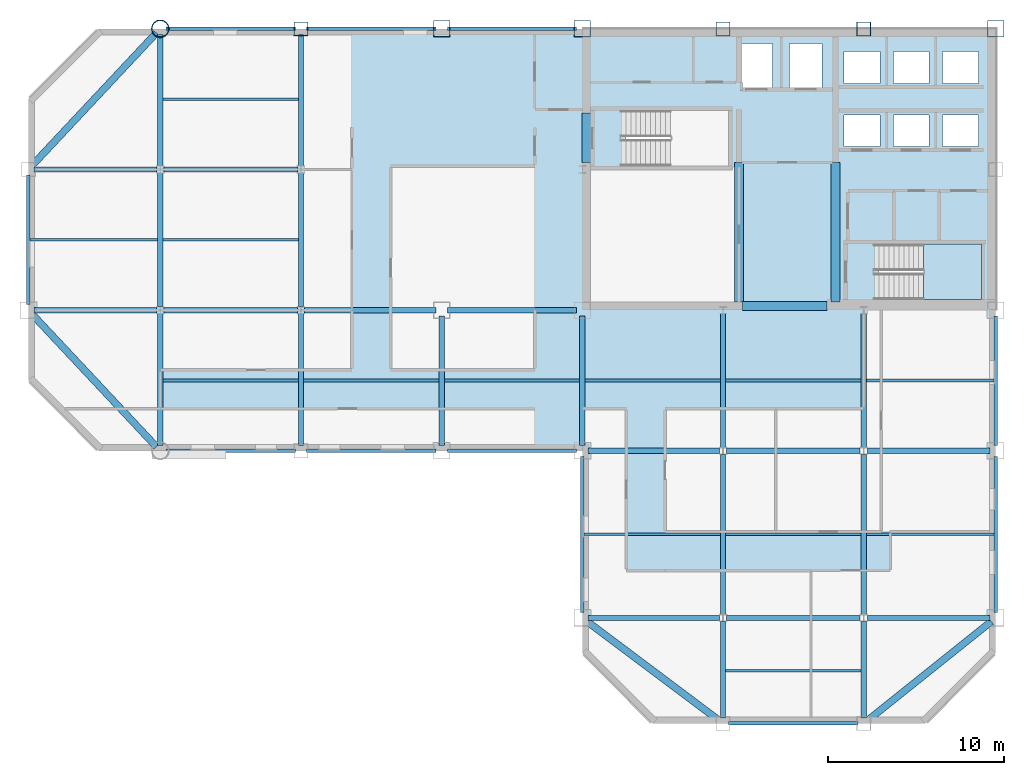
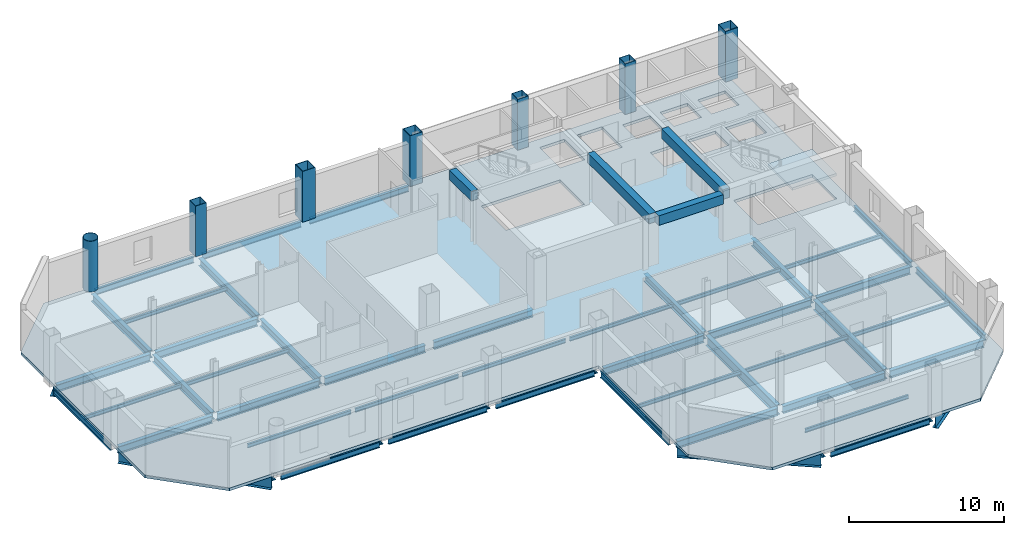
# One storey, part 3 of 10: 58 beams, 7 columns, 2 slabs, 1 element without a shape of its own.
"""IFC4 building model written with IfcOpenShell, lengths in metres."""

from ifc_helpers import new_model, si_unit, direction, frame, origin, origin_2d, place, context, subcontext, project, spatial, polyline, rectangle, hollow_rectangle, hollow_circle, i_section, outline, extrude, material, layer, layer_set, material_profile, profile_set, type_object, element, aggregate, save


model = new_model("IFC4")

# Units and contexts
model_context = context("Model", 3, precision=1e-05, world=origin(), true_north=direction((0.0, 1.0)))
body_context = subcontext(model_context, "Body", "Model", "MODEL_VIEW")
ifc_project = project(units=[si_unit("LENGTHUNIT", "METRE"), si_unit("AREAUNIT", "SQUARE_METRE"), si_unit("VOLUMEUNIT", "CUBIC_METRE"), si_unit("PLANEANGLEUNIT", "RADIAN"), si_unit("MASSUNIT", "GRAM", prefix="KILO")], contexts=[model_context])

# Site, building, storey
site_placement = place(None, origin())
site = spatial("IfcSite", under=ifc_project, at=site_placement, CompositionType="ELEMENT")
building_placement = place(site_placement, origin())
building = spatial("IfcBuilding", under=site, at=building_placement, Name="Qianrong Seaharbour Tower", CompositionType="ELEMENT")
storey_placement = place(building_placement, frame((0.0, 0.0, 241.800048828125)))
storey = spatial("IfcBuildingStorey", under=building, at=storey_placement, Name="L58", CompositionType="ELEMENT", Elevation=241.800048828125)

# Columns
ifc_material_1 = material(Name="Structural steel SN490B", Category="steel")
ifc_material_profile_1 = material_profile(ifc_material_1, hollow_rectangle(XDim=0.949951171875, YDim=0.949951171875, WallThickness=0.035888671875, at=origin_2d()), Name="BOX950x950x36")
ifc_profile_set_1 = profile_set([ifc_material_profile_1], Name="Structural steel SN490B")
column_type_1 = type_object("IfcColumnType", Name="COL-CFT-950", PredefinedType="COLUMN", material=ifc_profile_set_1)
for number, where, z_axis, x_axis, name in (
    (1, (32.5, 52.0, 0.0), (0.0, 0.0, 1.0), (1.0, 0.0, 0.0), "L58 Column MC-4 at G5/GH"),
    (2, (40.5, 52.0, 0.0), (0.0, 0.0, 1.0), (1.0, 0.0, 0.0), "L58 Column MC-4 at G6/GH"),
    (3, (64.0, 52.0, 0.0), (0.0, 0.0, 1.0), (1.0, 0.0, 0.0), "L58 Column MC-4 at G9/GH"),
):
    element("IfcColumn", number, at=place(storey_placement, frame(where, z_axis=z_axis, x_axis=x_axis)), inside=storey, type_object=column_type_1, Name=name, PredefinedType="COLUMN", context=body_context, shape_type="SweptSolid", body=[
        extrude(hollow_rectangle(XDim=0.949951171875, YDim=0.949951171875, WallThickness=0.035888671875, at=origin_2d()), origin(), (0.0, 0.0, 1.0), 4.0),
    ])
ifc_material_profile_2 = material_profile(ifc_material_1, hollow_circle(Radius=0.5, WallThickness=0.035888671875, at=origin_2d()), Name="CHS1000x36")
ifc_profile_set_2 = profile_set([ifc_material_profile_2], Name="Structural steel SN490B")
column_type_2 = type_object("IfcColumnType", Name="COL-CHS-1000", PredefinedType="COLUMN", material=ifc_profile_set_2)
column_placement = place(storey_placement, frame((16.5, 52.0, 0.0), z_axis=(0.0, 0.0, 1.0), x_axis=(1.0, 0.0, 0.0)))
element("IfcColumn", 4, at=column_placement, inside=storey, type_object=column_type_2, Name="L58 Column CC-2 at G3/GH", PredefinedType="COLUMN", context=body_context, shape_type="SweptSolid", body=[
    extrude(hollow_circle(Radius=0.5, WallThickness=0.035888671875, at=origin_2d()), origin(), (0.0, 0.0, 1.0), 4.0),
])
ifc_material_profile_3 = material_profile(ifc_material_1, hollow_rectangle(XDim=0.800048828125, YDim=0.800048828125, WallThickness=0.031982421875, at=origin_2d()), Name="BOX800x800x32")
ifc_profile_set_3 = profile_set([ifc_material_profile_3], Name="Structural steel SN490B")
column_type_3 = type_object("IfcColumnType", Name="COL-PER-800", PredefinedType="COLUMN", material=ifc_profile_set_3)
for number, where, z_axis, x_axis, name in (
    (5, (24.5, 52.0, 0.0), (0.0, 0.0, 1.0), (1.0, 0.0, 0.0), "L58 Column PC-3 at G4/GH"),
    (6, (48.5, 52.0, 0.0), (0.0, 0.0, 1.0), (1.0, 0.0, 0.0), "L58 Column PC-3 at G7/GH"),
    (7, (56.5, 52.0, 0.0), (0.0, 0.0, 1.0), (1.0, 0.0, 0.0), "L58 Column PC-3 at G8/GH"),
):
    element("IfcColumn", number, at=place(storey_placement, frame(where, z_axis=z_axis, x_axis=x_axis)), inside=storey, type_object=column_type_3, Name=name, PredefinedType="COLUMN", context=body_context, shape_type="SweptSolid", body=[
        extrude(hollow_rectangle(XDim=0.800048828125, YDim=0.800048828125, WallThickness=0.031982421875, at=origin_2d()), origin(), (0.0, 0.0, 1.0), 4.0),
    ])

# Beams
ifc_material_profile_4 = material_profile(ifc_material_1, i_section(OverallWidth=0.300048828125, OverallDepth=0.587890625, WebThickness=0.011962890625, FlangeThickness=0.02001953125, FilletRadius=0.02392578125, at=origin_2d()), Name="H588x300x12x20")
ifc_profile_set_4 = profile_set([ifc_material_profile_4], Name="Structural steel SN490B")
beam_type_1 = type_object("IfcBeamType", Name="BM-G-588", PredefinedType="BEAM", material=ifc_profile_set_4)
beam_1_placement = place(storey_placement, frame((40.820068359375, 18.5, -0.51904296875), z_axis=(1.0, 0.0, 0.0), x_axis=(0.0, 1.0, 0.0)))
element("IfcBeam", 8, at=beam_1_placement, inside=storey, type_object=beam_type_1, Name="L58 Primary Girder GD G6-G7", PredefinedType="BEAM", context=body_context, shape_type="SweptSolid", body=[
    extrude(i_section(OverallWidth=0.300048828125, OverallDepth=0.587890625, WebThickness=0.011962890625, FlangeThickness=0.02001953125, FilletRadius=0.02392578125, at=origin_2d()), origin(), (0.0, 0.0, 1.0), 7.47998046875),
])
beam_2_placement = place(storey_placement, frame((48.699951171875, 18.5, -0.51904296875), z_axis=(1.0, 0.0, 0.0), x_axis=(0.0, 1.0, 0.0)))
element("IfcBeam", 9, at=beam_2_placement, inside=storey, type_object=beam_type_1, Name="L58 Primary Girder GD G7-G8", PredefinedType="BEAM", context=body_context, shape_type="SweptSolid", body=[
    extrude(i_section(OverallWidth=0.300048828125, OverallDepth=0.587890625, WebThickness=0.011962890625, FlangeThickness=0.02001953125, FilletRadius=0.02392578125, at=origin_2d()), origin(), (0.0, 0.0, 1.0), 7.60009765625),
])
beam_3_placement = place(storey_placement, frame((56.699951171875, 18.5, -0.51904296875), z_axis=(1.0, 0.0, 0.0), x_axis=(0.0, 1.0, 0.0)))
element("IfcBeam", 10, at=beam_3_placement, inside=storey, type_object=beam_type_1, Name="L58 Primary Girder GD G8-G9", PredefinedType="BEAM", context=body_context, shape_type="SweptSolid", body=[
    extrude(i_section(OverallWidth=0.300048828125, OverallDepth=0.587890625, WebThickness=0.011962890625, FlangeThickness=0.02001953125, FilletRadius=0.02392578125, at=origin_2d()), origin(), (0.0, 0.0, 1.0), 6.97998046875),
])
beam_4_placement = place(storey_placement, frame((40.820068359375, 28.0, -0.51904296875), z_axis=(1.0, 0.0, 0.0), x_axis=(0.0, 1.0, 0.0)))
element("IfcBeam", 11, at=beam_4_placement, inside=storey, type_object=beam_type_1, Name="L58 Primary Girder GE G6-G7", PredefinedType="BEAM", context=body_context, shape_type="SweptSolid", body=[
    extrude(i_section(OverallWidth=0.300048828125, OverallDepth=0.587890625, WebThickness=0.011962890625, FlangeThickness=0.02001953125, FilletRadius=0.02392578125, at=origin_2d()), origin(), (0.0, 0.0, 1.0), 7.47998046875),
])
beam_5_placement = place(storey_placement, frame((48.699951171875, 28.0, -0.51904296875), z_axis=(1.0, 0.0, 0.0), x_axis=(0.0, 1.0, 0.0)))
element("IfcBeam", 12, at=beam_5_placement, inside=storey, type_object=beam_type_1, Name="L58 Primary Girder GE G7-G8", PredefinedType="BEAM", context=body_context, shape_type="SweptSolid", body=[
    extrude(i_section(OverallWidth=0.300048828125, OverallDepth=0.587890625, WebThickness=0.011962890625, FlangeThickness=0.02001953125, FilletRadius=0.02392578125, at=origin_2d()), origin(), (0.0, 0.0, 1.0), 7.60009765625),
])
for number, where, z_axis, x_axis, name in (
    (13, (56.699951171875, 28.0, -0.51904296875), (1.0, 0.0, 0.0), (0.0, 1.0, 0.0), "L58 Primary Girder GE G8-G9"),
    (14, (9.320068359375, 36.0, -0.51904296875), (1.0, 0.0, 0.0), (0.0, 1.0, 0.0), "L58 Primary Girder GF G2-G3"),
):
    element("IfcBeam", number, at=place(storey_placement, frame(where, z_axis=z_axis, x_axis=x_axis)), inside=storey, type_object=beam_type_1, Name=name, PredefinedType="BEAM", context=body_context, shape_type="SweptSolid", body=[
        extrude(i_section(OverallWidth=0.300048828125, OverallDepth=0.587890625, WebThickness=0.011962890625, FlangeThickness=0.02001953125, FilletRadius=0.02392578125, at=origin_2d()), origin(), (0.0, 0.0, 1.0), 6.97998046875),
    ])
beam_6_placement = place(storey_placement, frame((16.699951171875, 36.0, -0.51904296875), z_axis=(1.0, 0.0, 0.0), x_axis=(0.0, 1.0, 0.0)))
element("IfcBeam", 15, at=beam_6_placement, inside=storey, type_object=beam_type_1, Name="L58 Primary Girder GF G3-G4", PredefinedType="BEAM", context=body_context, shape_type="SweptSolid", body=[
    extrude(i_section(OverallWidth=0.300048828125, OverallDepth=0.587890625, WebThickness=0.011962890625, FlangeThickness=0.02001953125, FilletRadius=0.02392578125, at=origin_2d()), origin(), (0.0, 0.0, 1.0), 7.60009765625),
])
beam_7_placement = place(storey_placement, frame((24.699951171875, 36.0, -0.51904296875), z_axis=(1.0, 0.0, 0.0), x_axis=(0.0, 1.0, 0.0)))
element("IfcBeam", 16, at=beam_7_placement, inside=storey, type_object=beam_type_1, Name="L58 Primary Girder GF G4-G5", PredefinedType="BEAM", context=body_context, shape_type="SweptSolid", body=[
    extrude(i_section(OverallWidth=0.300048828125, OverallDepth=0.587890625, WebThickness=0.011962890625, FlangeThickness=0.02001953125, FilletRadius=0.02392578125, at=origin_2d()), origin(), (0.0, 0.0, 1.0), 7.47998046875),
])
beam_8_placement = place(storey_placement, frame((32.820068359375, 36.0, -0.51904296875), z_axis=(1.0, 0.0, 0.0), x_axis=(0.0, 1.0, 0.0)))
element("IfcBeam", 17, at=beam_8_placement, inside=storey, type_object=beam_type_1, Name="L58 Primary Girder GF G5-G6", PredefinedType="BEAM", context=body_context, shape_type="SweptSolid", body=[
    extrude(i_section(OverallWidth=0.300048828125, OverallDepth=0.587890625, WebThickness=0.011962890625, FlangeThickness=0.02001953125, FilletRadius=0.02392578125, at=origin_2d()), origin(), (0.0, 0.0, 1.0), 7.35986328125),
])
beam_9_placement = place(storey_placement, frame((9.320068359375, 44.0, -0.51904296875), z_axis=(1.0, 0.0, 0.0), x_axis=(0.0, 1.0, 0.0)))
element("IfcBeam", 18, at=beam_9_placement, inside=storey, type_object=beam_type_1, Name="L58 Primary Girder GG G2-G3", PredefinedType="BEAM", context=body_context, shape_type="SweptSolid", body=[
    extrude(i_section(OverallWidth=0.300048828125, OverallDepth=0.587890625, WebThickness=0.011962890625, FlangeThickness=0.02001953125, FilletRadius=0.02392578125, at=origin_2d()), origin(), (0.0, 0.0, 1.0), 6.97998046875),
])
beam_10_placement = place(storey_placement, frame((16.699951171875, 44.0, -0.51904296875), z_axis=(1.0, 0.0, 0.0), x_axis=(0.0, 1.0, 0.0)))
element("IfcBeam", 19, at=beam_10_placement, inside=storey, type_object=beam_type_1, Name="L58 Primary Girder GG G3-G4", PredefinedType="BEAM", context=body_context, shape_type="SweptSolid", body=[
    extrude(i_section(OverallWidth=0.300048828125, OverallDepth=0.587890625, WebThickness=0.011962890625, FlangeThickness=0.02001953125, FilletRadius=0.02392578125, at=origin_2d()), origin(), (0.0, 0.0, 1.0), 7.60009765625),
])
beam_11_placement = place(storey_placement, frame((16.5, 28.320068359375, -0.51904296875), z_axis=(0.0, 1.0, 0.0), x_axis=(-1.0, 0.0, 0.0)))
element("IfcBeam", 20, at=beam_11_placement, inside=storey, type_object=beam_type_1, Name="L58 Primary Girder G3 GE-GF", PredefinedType="BEAM", context=body_context, shape_type="SweptSolid", body=[
    extrude(i_section(OverallWidth=0.300048828125, OverallDepth=0.587890625, WebThickness=0.011962890625, FlangeThickness=0.02001953125, FilletRadius=0.02392578125, at=origin_2d()), origin(), (0.0, 0.0, 1.0), 7.47998046875),
])
beam_12_placement = place(storey_placement, frame((16.5, 36.199951171875, -0.51904296875), z_axis=(0.0, 1.0, 0.0), x_axis=(-1.0, 0.0, 0.0)))
element("IfcBeam", 21, at=beam_12_placement, inside=storey, type_object=beam_type_1, Name="L58 Primary Girder G3 GF-GG", PredefinedType="BEAM", context=body_context, shape_type="SweptSolid", body=[
    extrude(i_section(OverallWidth=0.300048828125, OverallDepth=0.587890625, WebThickness=0.011962890625, FlangeThickness=0.02001953125, FilletRadius=0.02392578125, at=origin_2d()), origin(), (0.0, 0.0, 1.0), 7.60009765625),
])
for number, where, z_axis, x_axis, name in (
    (22, (16.5, 44.199951171875, -0.51904296875), (0.0, 1.0, 0.0), (-1.0, 0.0, 0.0), "L58 Primary Girder G3 GG-GH"),
    (23, (24.5, 28.320068359375, -0.51904296875), (0.0, 1.0, 0.0), (-1.0, 0.0, 0.0), "L58 Primary Girder G4 GE-GF"),
):
    element("IfcBeam", number, at=place(storey_placement, frame(where, z_axis=z_axis, x_axis=x_axis)), inside=storey, type_object=beam_type_1, Name=name, PredefinedType="BEAM", context=body_context, shape_type="SweptSolid", body=[
        extrude(i_section(OverallWidth=0.300048828125, OverallDepth=0.587890625, WebThickness=0.011962890625, FlangeThickness=0.02001953125, FilletRadius=0.02392578125, at=origin_2d()), origin(), (0.0, 0.0, 1.0), 7.47998046875),
    ])
beam_13_placement = place(storey_placement, frame((24.5, 36.199951171875, -0.51904296875), z_axis=(0.0, 1.0, 0.0), x_axis=(-1.0, 0.0, 0.0)))
element("IfcBeam", 24, at=beam_13_placement, inside=storey, type_object=beam_type_1, Name="L58 Primary Girder G4 GF-GG", PredefinedType="BEAM", context=body_context, shape_type="SweptSolid", body=[
    extrude(i_section(OverallWidth=0.300048828125, OverallDepth=0.587890625, WebThickness=0.011962890625, FlangeThickness=0.02001953125, FilletRadius=0.02392578125, at=origin_2d()), origin(), (0.0, 0.0, 1.0), 7.60009765625),
])
beam_14_placement = place(storey_placement, frame((24.5, 44.199951171875, -0.51904296875), z_axis=(0.0, 1.0, 0.0), x_axis=(-1.0, 0.0, 0.0)))
element("IfcBeam", 25, at=beam_14_placement, inside=storey, type_object=beam_type_1, Name="L58 Primary Girder G4 GG-GH", PredefinedType="BEAM", context=body_context, shape_type="SweptSolid", body=[
    extrude(i_section(OverallWidth=0.300048828125, OverallDepth=0.587890625, WebThickness=0.011962890625, FlangeThickness=0.02001953125, FilletRadius=0.02392578125, at=origin_2d()), origin(), (0.0, 0.0, 1.0), 7.47998046875),
])
for number, where, z_axis, x_axis, name in (
    (26, (32.5, 28.320068359375, -0.51904296875), (0.0, 1.0, 0.0), (-1.0, 0.0, 0.0), "L58 Primary Girder G5 GE-GF"),
    (27, (40.5, 28.320068359375, -0.51904296875), (0.0, 1.0, 0.0), (-1.0, 0.0, 0.0), "L58 Primary Girder G6 GE-GF"),
):
    element("IfcBeam", number, at=place(storey_placement, frame(where, z_axis=z_axis, x_axis=x_axis)), inside=storey, type_object=beam_type_1, Name=name, PredefinedType="BEAM", context=body_context, shape_type="SweptSolid", body=[
        extrude(i_section(OverallWidth=0.300048828125, OverallDepth=0.587890625, WebThickness=0.011962890625, FlangeThickness=0.02001953125, FilletRadius=0.02392578125, at=origin_2d()), origin(), (0.0, 0.0, 1.0), 7.35986328125),
    ])
beam_15_placement = place(storey_placement, frame((48.5, 12.820068359375, -0.51904296875), z_axis=(0.0, 1.0, 0.0), x_axis=(-1.0, 0.0, 0.0)))
element("IfcBeam", 28, at=beam_15_placement, inside=storey, type_object=beam_type_1, Name="L58 Primary Girder G7 GC-GD", PredefinedType="BEAM", context=body_context, shape_type="SweptSolid", body=[
    extrude(i_section(OverallWidth=0.300048828125, OverallDepth=0.587890625, WebThickness=0.011962890625, FlangeThickness=0.02001953125, FilletRadius=0.02392578125, at=origin_2d()), origin(), (0.0, 0.0, 1.0), 5.47998046875),
])
beam_16_placement = place(storey_placement, frame((48.5, 28.199951171875, -0.51904296875), z_axis=(0.0, 1.0, 0.0), x_axis=(-1.0, 0.0, 0.0)))
element("IfcBeam", 29, at=beam_16_placement, inside=storey, type_object=beam_type_1, Name="L58 Primary Girder G7 GE-GF", PredefinedType="BEAM", context=body_context, shape_type="SweptSolid", body=[
    extrude(i_section(OverallWidth=0.300048828125, OverallDepth=0.587890625, WebThickness=0.011962890625, FlangeThickness=0.02001953125, FilletRadius=0.02392578125, at=origin_2d()), origin(), (0.0, 0.0, 1.0), 7.60009765625),
])
beam_17_placement = place(storey_placement, frame((56.5, 12.820068359375, -0.51904296875), z_axis=(0.0, 1.0, 0.0), x_axis=(-1.0, 0.0, 0.0)))
element("IfcBeam", 30, at=beam_17_placement, inside=storey, type_object=beam_type_1, Name="L58 Primary Girder G8 GC-GD", PredefinedType="BEAM", context=body_context, shape_type="SweptSolid", body=[
    extrude(i_section(OverallWidth=0.300048828125, OverallDepth=0.587890625, WebThickness=0.011962890625, FlangeThickness=0.02001953125, FilletRadius=0.02392578125, at=origin_2d()), origin(), (0.0, 0.0, 1.0), 5.47998046875),
])
beam_18_placement = place(storey_placement, frame((56.5, 28.199951171875, -0.51904296875), z_axis=(0.0, 1.0, 0.0), x_axis=(-1.0, 0.0, 0.0)))
element("IfcBeam", 31, at=beam_18_placement, inside=storey, type_object=beam_type_1, Name="L58 Primary Girder G8 GE-GF", PredefinedType="BEAM", context=body_context, shape_type="SweptSolid", body=[
    extrude(i_section(OverallWidth=0.300048828125, OverallDepth=0.587890625, WebThickness=0.011962890625, FlangeThickness=0.02001953125, FilletRadius=0.02392578125, at=origin_2d()), origin(), (0.0, 0.0, 1.0), 7.60009765625),
])
ifc_material_profile_5 = material_profile(ifc_material_1, i_section(OverallWidth=0.300048828125, OverallDepth=0.800048828125, WebThickness=0.013916015625, FlangeThickness=0.02587890625, FilletRadius=0.028076171875, at=origin_2d()), Name="H800x300x14x26")
ifc_profile_set_5 = profile_set([ifc_material_profile_5], Name="Structural steel SN490B")
beam_type_2 = type_object("IfcBeamType", Name="BM-G-800", PredefinedType="BEAM", material=ifc_profile_set_5)
for number, where, z_axis, x_axis, name in (
    (32, (48.5, 18.699951171875, -0.625), (0.0, 1.0, 0.0), (-1.0, 0.0, 0.0), "L58 Primary Girder G7 GD-GE"),
    (33, (56.5, 18.699951171875, -0.625), (0.0, 1.0, 0.0), (-1.0, 0.0, 0.0), "L58 Primary Girder G8 GD-GE"),
):
    element("IfcBeam", number, at=place(storey_placement, frame(where, z_axis=z_axis, x_axis=x_axis)), inside=storey, type_object=beam_type_2, Name=name, PredefinedType="BEAM", context=body_context, shape_type="SweptSolid", body=[
        extrude(i_section(OverallWidth=0.300048828125, OverallDepth=0.800048828125, WebThickness=0.013916015625, FlangeThickness=0.02587890625, FilletRadius=0.028076171875, at=origin_2d()), origin(), (0.0, 0.0, 1.0), 9.10009765625),
    ])
ifc_material_2 = material(Name="Structural steel SN400B", Category="steel")
ifc_material_profile_6 = material_profile(ifc_material_2, i_section(OverallWidth=0.14990234375, OverallDepth=0.300048828125, WebThickness=0.006591796875, FlangeThickness=0.009033203125, FilletRadius=0.012939453125, at=origin_2d()), Name="H300x150x6.5x9")
ifc_profile_set_6 = profile_set([ifc_material_profile_6], Name="Structural steel SN400B")
beam_type_3 = type_object("IfcBeamType", Name="BM-J-300", PredefinedType="JOIST", material=ifc_profile_set_6)
beam_19_placement = place(storey_placement, frame((9.10009765625, 40.0, -0.375), z_axis=(1.0, 0.0, 0.0), x_axis=(0.0, 1.0, 0.0)))
element("IfcBeam", 34, at=beam_19_placement, inside=storey, type_object=beam_type_3, Name="L58 Composite Floor Joist G2-G3/GF-GG", PredefinedType="JOIST", context=body_context, shape_type="SweptSolid", body=[
    extrude(i_section(OverallWidth=0.14990234375, OverallDepth=0.300048828125, WebThickness=0.006591796875, FlangeThickness=0.009033203125, FilletRadius=0.012939453125, at=origin_2d()), origin(), (0.0, 0.0, 1.0), 7.25),
])
for number, where, z_axis, x_axis, name in (
    (35, (16.64990234375, 32.0, -0.375), (1.0, 0.0, 0.0), (0.0, 1.0, 0.0), "L58 Composite Floor Joist G3-G4/GE-GF"),
    (36, (16.64990234375, 40.0, -0.375), (1.0, 0.0, 0.0), (0.0, 1.0, 0.0), "L58 Composite Floor Joist G3-G4/GF-GG"),
    (37, (16.64990234375, 48.0, -0.375), (1.0, 0.0, 0.0), (0.0, 1.0, 0.0), "L58 Composite Floor Joist G3-G4/GG-GH"),
    (38, (24.64990234375, 32.0, -0.375), (1.0, 0.0, 0.0), (0.0, 1.0, 0.0), "L58 Composite Floor Joist G4-G5/GE-GF"),
    (39, (32.64990234375, 32.0, -0.375), (1.0, 0.0, 0.0), (0.0, 1.0, 0.0), "L58 Composite Floor Joist G5-G6/GE-GF"),
):
    element("IfcBeam", number, at=place(storey_placement, frame(where, z_axis=z_axis, x_axis=x_axis)), inside=storey, type_object=beam_type_3, Name=name, PredefinedType="JOIST", context=body_context, shape_type="SweptSolid", body=[
        extrude(i_section(OverallWidth=0.14990234375, OverallDepth=0.300048828125, WebThickness=0.006591796875, FlangeThickness=0.009033203125, FilletRadius=0.012939453125, at=origin_2d()), origin(), (0.0, 0.0, 1.0), 7.7001953125),
    ])
beam_20_placement = place(storey_placement, frame((40.60009765625, 23.25, -0.375), z_axis=(1.0, 0.0, 0.0), x_axis=(0.0, 1.0, 0.0)))
element("IfcBeam", 40, at=beam_20_placement, inside=storey, type_object=beam_type_3, Name="L58 Composite Floor Joist G6-G7/GD-GE", PredefinedType="JOIST", context=body_context, shape_type="SweptSolid", body=[
    extrude(i_section(OverallWidth=0.14990234375, OverallDepth=0.300048828125, WebThickness=0.006591796875, FlangeThickness=0.009033203125, FilletRadius=0.012939453125, at=origin_2d()), origin(), (0.0, 0.0, 1.0), 7.75),
])
for number, where, z_axis, x_axis, name in (
    (41, (40.64990234375, 32.0, -0.375), (1.0, 0.0, 0.0), (0.0, 1.0, 0.0), "L58 Composite Floor Joist G6-G7/GE-GF"),
    (42, (48.64990234375, 15.5, -0.375), (1.0, 0.0, 0.0), (0.0, 1.0, 0.0), "L58 Composite Floor Joist G7-G8/GC-GD"),
    (43, (48.64990234375, 23.25, -0.375), (1.0, 0.0, 0.0), (0.0, 1.0, 0.0), "L58 Composite Floor Joist G7-G8/GD-GE"),
    (44, (48.64990234375, 32.0, -0.375), (1.0, 0.0, 0.0), (0.0, 1.0, 0.0), "L58 Composite Floor Joist G7-G8/GE-GF"),
):
    element("IfcBeam", number, at=place(storey_placement, frame(where, z_axis=z_axis, x_axis=x_axis)), inside=storey, type_object=beam_type_3, Name=name, PredefinedType="JOIST", context=body_context, shape_type="SweptSolid", body=[
        extrude(i_section(OverallWidth=0.14990234375, OverallDepth=0.300048828125, WebThickness=0.006591796875, FlangeThickness=0.009033203125, FilletRadius=0.012939453125, at=origin_2d()), origin(), (0.0, 0.0, 1.0), 7.7001953125),
    ])
for number, where, z_axis, x_axis, name in (
    (45, (56.64990234375, 23.25, -0.375), (1.0, 0.0, 0.0), (0.0, 1.0, 0.0), "L58 Composite Floor Joist G8-G9/GD-GE"),
    (46, (56.64990234375, 32.0, -0.375), (1.0, 0.0, 0.0), (0.0, 1.0, 0.0), "L58 Composite Floor Joist G8-G9/GE-GF"),
):
    element("IfcBeam", number, at=place(storey_placement, frame(where, z_axis=z_axis, x_axis=x_axis)), inside=storey, type_object=beam_type_3, Name=name, PredefinedType="JOIST", context=body_context, shape_type="SweptSolid", body=[
        extrude(i_section(OverallWidth=0.14990234375, OverallDepth=0.300048828125, WebThickness=0.006591796875, FlangeThickness=0.009033203125, FilletRadius=0.012939453125, at=origin_2d()), origin(), (0.0, 0.0, 1.0), 7.25),
    ])
ifc_material_3 = material(Name="Concrete C60/75", Category="concrete")
ifc_material_profile_7 = material_profile(ifc_material_3, rectangle(XDim=0.5, YDim=0.75, at=origin_2d()), Name="RC500x750")
ifc_profile_set_7 = profile_set([ifc_material_profile_7], Name="Concrete C60/75")
beam_type_4 = type_object("IfcBeamType", Name="BM-LINTEL-750", PredefinedType="LINTEL", material=ifc_profile_set_7)
beam_21_placement = place(storey_placement, frame((40.72998046875, 44.39990234375, 3.39990234375), z_axis=(0.0, 1.0, 0.0), x_axis=(-1.0, 0.0, 0.0)))
element("IfcBeam", 47, at=beam_21_placement, inside=storey, type_object=beam_type_4, Name="L58 Core Coupling Lintel Beam West", PredefinedType="LINTEL", context=body_context, shape_type="SweptSolid", body=[
    extrude(rectangle(XDim=0.5, YDim=0.75, at=origin_2d()), origin(), (0.0, 0.0, 1.0), 2.800048828125),
])
beam_22_placement = place(storey_placement, frame((49.60009765625, 36.22998046875, 3.39990234375), z_axis=(1.0, 0.0, 0.0), x_axis=(0.0, 1.0, 0.0)))
element("IfcBeam", 48, at=beam_22_placement, inside=storey, type_object=beam_type_4, Name="L58 Core Coupling Lintel Beam CBC", PredefinedType="LINTEL", context=body_context, shape_type="SweptSolid", body=[
    extrude(rectangle(XDim=0.5, YDim=0.75, at=origin_2d()), origin(), (0.0, 0.0, 1.0), 4.7998046875),
])
for number, where, z_axis, x_axis, name in (
    (49, (49.39990234375, 36.4599609375, 3.39990234375), (0.0, 1.0, 0.0), (-1.0, 0.0, 0.0), "L58 Internal Core Coupling Beam IW1"),
    (50, (54.89990234375, 36.4599609375, 3.39990234375), (0.0, 1.0, 0.0), (-1.0, 0.0, 0.0), "L58 Internal Core Coupling Beam IW2"),
):
    element("IfcBeam", number, at=place(storey_placement, frame(where, z_axis=z_axis, x_axis=x_axis)), inside=storey, type_object=beam_type_4, Name=name, PredefinedType="LINTEL", context=body_context, shape_type="SweptSolid", body=[
        extrude(rectangle(XDim=0.5, YDim=0.75, at=origin_2d()), origin(), (0.0, 0.0, 1.0), 7.93994140625),
    ])
ifc_material_profile_8 = material_profile(ifc_material_2, i_section(OverallWidth=0.199951171875, OverallDepth=0.449951171875, WebThickness=0.009033203125, FlangeThickness=0.013916015625, FilletRadius=0.01806640625, at=origin_2d()), Name="H450x200x9x14")
ifc_profile_set_8 = profile_set([ifc_material_profile_8], Name="Structural steel SN400B")
beam_type_5 = type_object("IfcBeamType", Name="BM-SP-450", PredefinedType="SPANDREL", material=ifc_profile_set_8)
for number, where, z_axis, x_axis, name in (
    (51, (48.820068359375, 12.5, -0.449951171875), (1.0, 0.0, 0.0), (0.0, 1.0, 0.0), "L58 Spandrel Girder GC G7-G8"),
    (52, (16.820068359375, 28.0, -0.449951171875), (1.0, 0.0, 0.0), (0.0, 1.0, 0.0), "L58 Spandrel Girder GE G3-G4"),
    (53, (24.820068359375, 28.0, -0.449951171875), (1.0, 0.0, 0.0), (0.0, 1.0, 0.0), "L58 Spandrel Girder GE G4-G5"),
    (54, (32.820068359375, 28.0, -0.449951171875), (1.0, 0.0, 0.0), (0.0, 1.0, 0.0), "L58 Spandrel Girder GE G5-G6"),
    (55, (16.820068359375, 52.0, -0.449951171875), (1.0, 0.0, 0.0), (0.0, 1.0, 0.0), "L58 Spandrel Girder GH G3-G4"),
    (56, (24.820068359375, 52.0, -0.449951171875), (1.0, 0.0, 0.0), (0.0, 1.0, 0.0), "L58 Spandrel Girder GH G4-G5"),
    (57, (32.820068359375, 52.0, -0.449951171875), (1.0, 0.0, 0.0), (0.0, 1.0, 0.0), "L58 Spandrel Girder GH G5-G6"),
    (58, (9.0, 36.320068359375, -0.449951171875), (0.0, 1.0, 0.0), (-1.0, 0.0, 0.0), "L58 Spandrel Girder G2 GF-GG"),
):
    element("IfcBeam", number, at=place(storey_placement, frame(where, z_axis=z_axis, x_axis=x_axis)), inside=storey, type_object=beam_type_5, Name=name, PredefinedType="SPANDREL", context=body_context, shape_type="SweptSolid", body=[
        extrude(i_section(OverallWidth=0.199951171875, OverallDepth=0.449951171875, WebThickness=0.009033203125, FlangeThickness=0.013916015625, FilletRadius=0.01806640625, at=origin_2d()), origin(), (0.0, 0.0, 1.0), 7.35986328125),
    ])
for number, where, z_axis, x_axis, name in (
    (59, (40.5, 18.820068359375, -0.449951171875), (0.0, 1.0, 0.0), (-1.0, 0.0, 0.0), "L58 Spandrel Girder G6 GD-GE"),
    (60, (64.0, 18.820068359375, -0.449951171875), (0.0, 1.0, 0.0), (-1.0, 0.0, 0.0), "L58 Spandrel Girder G9 GD-GE"),
):
    element("IfcBeam", number, at=place(storey_placement, frame(where, z_axis=z_axis, x_axis=x_axis)), inside=storey, type_object=beam_type_5, Name=name, PredefinedType="SPANDREL", context=body_context, shape_type="SweptSolid", body=[
        extrude(i_section(OverallWidth=0.199951171875, OverallDepth=0.449951171875, WebThickness=0.009033203125, FlangeThickness=0.013916015625, FilletRadius=0.01806640625, at=origin_2d()), origin(), (0.0, 0.0, 1.0), 8.85986328125),
    ])
beam_23_placement = place(storey_placement, frame((64.0, 28.320068359375, -0.449951171875), z_axis=(0.0, 1.0, 0.0), x_axis=(-1.0, 0.0, 0.0)))
element("IfcBeam", 61, at=beam_23_placement, inside=storey, type_object=beam_type_5, Name="L58 Spandrel Girder G9 GE-GF", PredefinedType="SPANDREL", context=body_context, shape_type="SweptSolid", body=[
    extrude(i_section(OverallWidth=0.199951171875, OverallDepth=0.449951171875, WebThickness=0.009033203125, FlangeThickness=0.013916015625, FilletRadius=0.01806640625, at=origin_2d()), origin(), (0.0, 0.0, 1.0), 7.35986328125),
])
ifc_material_profile_9 = material_profile(ifc_material_1, i_section(OverallWidth=0.39990234375, OverallDepth=1.10009765625, WebThickness=0.02001953125, FlangeThickness=0.035888671875, at=origin_2d()), Name="BH1100x400x20x36")
ifc_profile_set_9 = profile_set([ifc_material_profile_9], Name="Structural steel SN490B")
beam_type_6 = type_object("IfcBeamType", Name="BM-TG-1100", PredefinedType="BEAM", material=ifc_profile_set_9)
for number, where, z_axis, x_axis, name in (
    (62, (16.28125, 28.2333984375, -0.775146484375), (-0.683947420573, 0.729531305628, 0.0), (-0.729531305628, -0.683947420573, 0.0), "L58 Chamfer Corner Spandrel Girder G2/GE"),
    (63, (16.28125, 51.7666015625, -0.775146484375), (-0.683947420573, -0.729531305628, 0.0), (0.729531305628, -0.683947420573, 0.0), "L58 Chamfer Corner Spandrel Girder G2/GH"),
):
    element("IfcBeam", number, at=place(storey_placement, frame(where, z_axis=z_axis, x_axis=x_axis)), inside=storey, type_object=beam_type_6, Name=name, PredefinedType="BEAM", context=body_context, shape_type="SweptSolid", body=[
        extrude(i_section(OverallWidth=0.39990234375, OverallDepth=1.10009765625, WebThickness=0.02001953125, FlangeThickness=0.035888671875, at=origin_2d()), origin(), (0.0, 0.0, 1.0), 10.326171875),
    ])
beam_24_placement = place(storey_placement, frame((48.243896484375, 12.69189453125, -0.775146484375), z_axis=(-0.799981219482, 0.600025039875, 0.0), x_axis=(-0.600025039875, -0.799981219482, 0.0)))
element("IfcBeam", 64, at=beam_24_placement, inside=storey, type_object=beam_type_6, Name="L58 Chamfer Corner Spandrel Girder G6/GC", PredefinedType="BEAM", context=body_context, shape_type="SweptSolid", body=[
    extrude(i_section(OverallWidth=0.39990234375, OverallDepth=1.10009765625, WebThickness=0.02001953125, FlangeThickness=0.035888671875, at=origin_2d()), origin(), (0.0, 0.0, 1.0), 9.35986328125),
])
beam_25_placement = place(storey_placement, frame((56.75, 12.699951171875, -0.775146484375), z_axis=(0.780863495394, 0.624701690058, 0.0), x_axis=(-0.624701690058, 0.780863495394, 0.0)))
element("IfcBeam", 65, at=beam_25_placement, inside=storey, type_object=beam_type_6, Name="L58 Chamfer Corner Spandrel Girder G9/GC", PredefinedType="BEAM", context=body_context, shape_type="SweptSolid", body=[
    extrude(i_section(OverallWidth=0.39990234375, OverallDepth=1.10009765625, WebThickness=0.02001953125, FlangeThickness=0.035888671875, at=origin_2d()), origin(), (0.0, 0.0, 1.0), 8.96435546875),
])

# Stair, slab
ifc_material_4 = material(Name="Concrete C50/60", Category="concrete")
stair_type = type_object("IfcStairType", Name="STAIR-DOGLEG-1500-R22", PredefinedType="HALF_TURN_STAIR", material=ifc_material_4)
stair_placement = place(storey_placement, origin())
stair = element("IfcStair", 66, at=stair_placement, inside=storey, type_object=stair_type, Name="L58 Protected Escape Stair ST-2", PredefinedType="HALF_TURN_STAIR")
ifc_layer_1 = layer(ifc_material_4, 0.199951171875)
ifc_layer_set_1 = layer_set([ifc_layer_1], Name="Concrete C50/60")
slab_type_1 = type_object("IfcSlabType", Name="SLAB-STAIR-LANDING-200", PredefinedType="LANDING", material=ifc_layer_set_1)
slab_1_placement = place(storey_placement, frame((0.0, 0.0, 1.800048828125)))
slab_1 = element("IfcSlab", 67, at=slab_1_placement, type_object=slab_type_1, Name="ST-2 landing 1", PredefinedType="LANDING", context=body_context, shape_type="SweptSolid", body=[
    extrude(outline(polyline([(59.89990234375, 36.60009765625), (63.199951171875, 36.60009765625), (63.199951171875, 39.75), (59.89990234375, 39.75), (59.89990234375, 36.60009765625)])), origin(), (0.0, 0.0, 1.0), 0.199951171875),
])
aggregate(stair, [slab_1])

# Slab
ifc_layer_2 = layer(ifc_material_4, 0.22509765625)
ifc_layer_set_2 = layer_set([ifc_layer_2], Name="Concrete C50/60")
slab_type_2 = type_object("IfcSlabType", Name="SLAB-Z3-225", PredefinedType="FLOOR", material=ifc_layer_set_2)
slab_2_placement = place(storey_placement, frame((0.0, 0.0, -0.22509765625)))
element("IfcSlab", 68, at=slab_2_placement, inside=storey, type_object=slab_type_2, Name="L58 Structural Floor Slab", PredefinedType="FLOOR", context=body_context, shape_type="SweptSolid", body=[
    extrude(outline(polyline([(44.5, 12.5), (60.0, 12.5), (64.0, 16.5), (64.0, 52.0), (13.0, 52.0), (9.0, 48.0), (9.0, 32.0), (13.0, 28.0), (40.5, 28.0), (40.5, 16.5), (44.5, 12.5)]), holes=[polyline([(42.93994140625, 44.199951171875), (42.93994140625, 47.35009765625), (48.800048828125, 47.35009765625), (48.800048828125, 44.199951171875), (42.93994140625, 44.199951171875)]), polyline([(57.340087890625, 36.60009765625), (57.340087890625, 39.75), (63.199951171875, 39.75), (63.199951171875, 36.60009765625), (57.340087890625, 36.60009765625)]), polyline([(49.47998046875, 48.530029296875), (49.47998046875, 51.169921875), (51.320068359375, 51.169921875), (51.320068359375, 48.530029296875), (49.47998046875, 48.530029296875)]), polyline([(52.280029296875, 48.530029296875), (52.280029296875, 51.169921875), (54.1201171875, 51.169921875), (54.1201171875, 48.530029296875), (52.280029296875, 48.530029296875)]), polyline([(55.3798828125, 45.300048828125), (55.3798828125, 47.10009765625), (57.419921875, 47.10009765625), (57.419921875, 45.300048828125), (55.3798828125, 45.300048828125)]), polyline([(58.179931640625, 45.300048828125), (58.179931640625, 47.10009765625), (60.219970703125, 47.10009765625), (60.219970703125, 45.300048828125), (58.179931640625, 45.300048828125)]), polyline([(60.97998046875, 45.300048828125), (60.97998046875, 47.10009765625), (63.02001953125, 47.10009765625), (63.02001953125, 45.300048828125), (60.97998046875, 45.300048828125)]), polyline([(55.3798828125, 48.89990234375), (55.3798828125, 50.699951171875), (57.419921875, 50.699951171875), (57.419921875, 48.89990234375), (55.3798828125, 48.89990234375)]), polyline([(58.179931640625, 48.89990234375), (58.179931640625, 50.699951171875), (60.219970703125, 50.699951171875), (60.219970703125, 48.89990234375), (58.179931640625, 48.89990234375)]), polyline([(60.97998046875, 48.89990234375), (60.97998046875, 50.699951171875), (63.02001953125, 50.699951171875), (63.02001953125, 48.89990234375), (60.97998046875, 48.89990234375)])]), origin(), (0.0, 0.0, 1.0), 0.22509765625),
])

save(model, "model.ifc")
